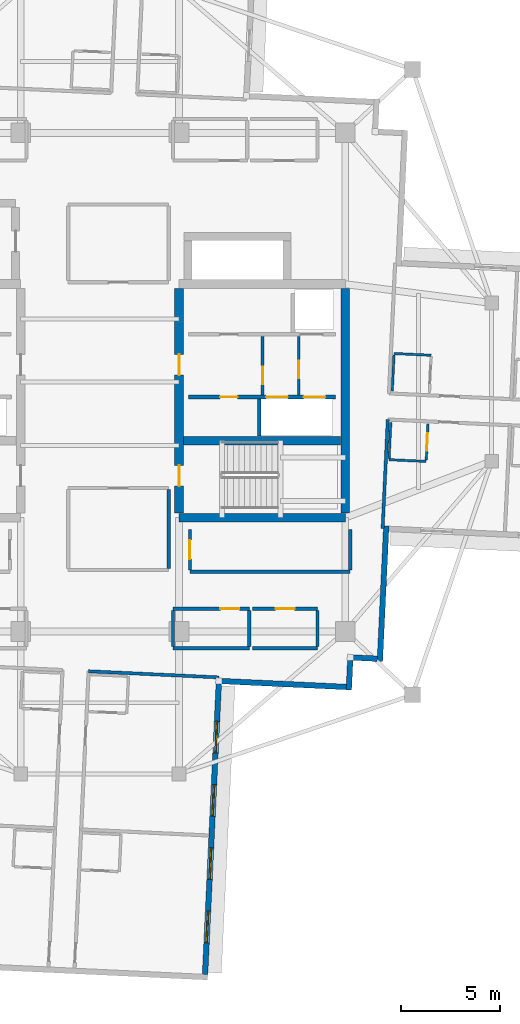
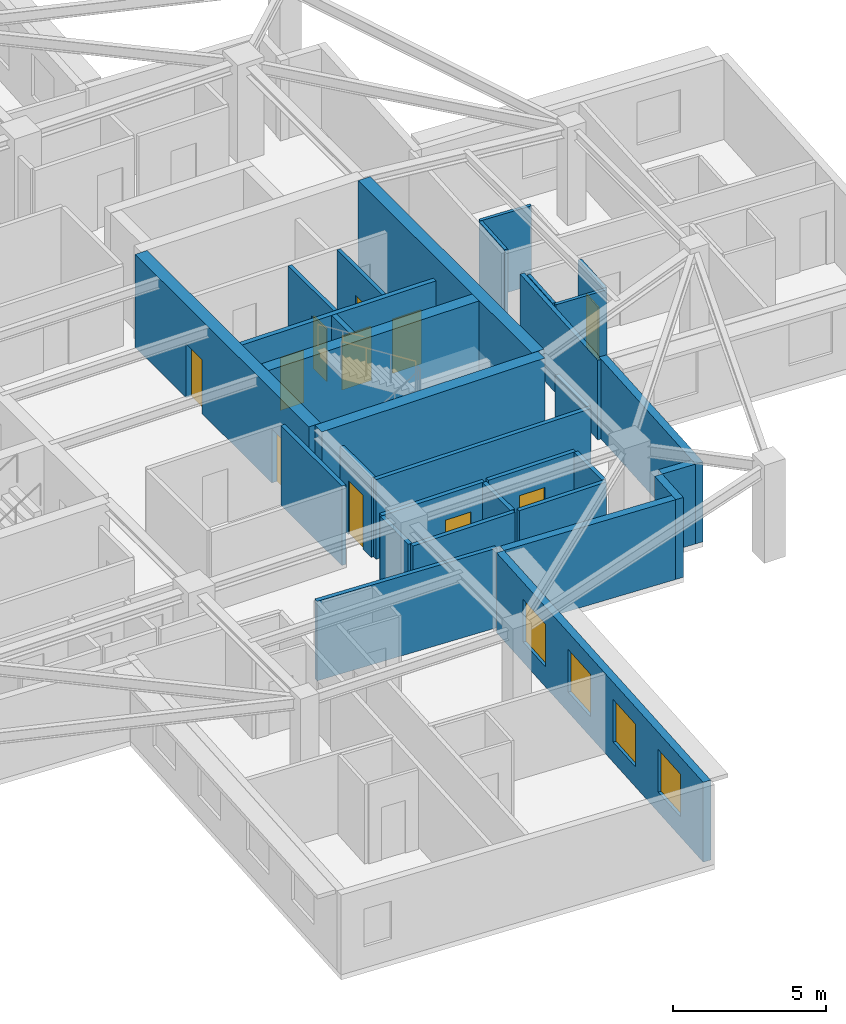
# One storey, part 5 of 12: 31 walls, 11 doors, 4 windows, 15 openings.
"""IFC4 building model written with IfcOpenShell, lengths in metres."""

from ifc_helpers import new_model, si_unit, direction, frame, frame_2d, origin, place, context, subcontext, project, spatial, rectangle, extrude, material, layer, layer_set, type_object, element, fill, save


model = new_model("IFC4")

# Units and contexts
model_context = context("Model", 3, precision=1e-05, world=origin(), true_north=direction((0.0, 1.0)))
body_context = subcontext(model_context, "Body", "Model", "MODEL_VIEW")
ifc_project = project(units=[si_unit("LENGTHUNIT", "METRE"), si_unit("AREAUNIT", "SQUARE_METRE"), si_unit("VOLUMEUNIT", "CUBIC_METRE"), si_unit("PLANEANGLEUNIT", "RADIAN"), si_unit("MASSUNIT", "GRAM", prefix="KILO")], contexts=[model_context])

# Site, building, storey
site_placement = place(None, origin())
site = spatial("IfcSite", under=ifc_project, at=site_placement, CompositionType="ELEMENT")
building_placement = place(site_placement, origin())
building = spatial("IfcBuilding", under=site, at=building_placement, Name="Qingluan Cross Belvedere", CompositionType="ELEMENT")
storey_placement = place(building_placement, frame((0.0, 0.0, 253.800048828125)))
storey = spatial("IfcBuildingStorey", under=building, at=storey_placement, Name="L63", CompositionType="ELEMENT", Elevation=253.800048828125)

# Wall
ifc_material_1 = material(Name="Concrete C50", Category="concrete")
ifc_layer_1 = layer(ifc_material_1, 0.449951171875, Name="CoreShearWall_450")
ifc_layer_set_1 = layer_set([ifc_layer_1], Name="Concrete C50")
wall_type_1 = type_object("IfcWallType", Name="CoreShearWall_450", PredefinedType="SHEAR", material=ifc_layer_set_1)
wall_1_placement = place(storey_placement, frame((4.0, -6.85009765625, 0.0), z_axis=(0.0, 0.0, 1.0), x_axis=(1.0, 0.0, 0.0)))
element("IfcWall", 1, at=wall_1_placement, inside=storey, type_object=wall_type_1, Name="Split core E shear wall L63-S", PredefinedType="SHEAR", context=body_context, shape_type="SweptSolid", body=[
    extrude(rectangle(XDim=8.39990234375, YDim=0.449951171875, at=frame_2d((4.199951171875, 0.0))), origin(), (0.0, 0.0, 1.0), 3.699951171875),
])

# Wall, openings, doors
wall_2_placement = place(storey_placement, frame((4.0, -6.6201171875, 0.0), z_axis=(0.0, 0.0, 1.0), x_axis=(0.0, 1.0, 0.0)))
wall_2 = element("IfcWall", 2, at=wall_2_placement, inside=storey, type_object=wall_type_1, Name="Split core E shear wall L63-W", PredefinedType="SHEAR", context=body_context, shape_type="SweptSolid", body=[
    extrude(rectangle(XDim=11.340087890625, YDim=0.449951171875, at=frame_2d((5.669921875, 0.0))), origin(), (0.0, 0.0, 1.0), 3.699951171875),
])
opening_1_placement = place(wall_2_placement, frame((1.3701171875, 0.0, 0.0)))
opening_1 = element("IfcOpeningElement", 3, at=opening_1_placement, cuts=wall_2, Name="Opening FD-B11", PredefinedType="OPENING", context=body_context, shape_type="SweptSolid", body=[
    extrude(rectangle(XDim=1.050048828125, YDim=2.14990234375, at=frame_2d((0.52490234375, 1.074951171875))), frame((0.0, 0.23486328125, 0.0), z_axis=(0.0, -1.0, 0.0), x_axis=(1.0, 0.0, 0.0)), (0.0, 0.0, 1.0), 0.469970703125),
])
opening_2_placement = place(wall_2_placement, frame((6.969970703125, 0.0, 0.0)))
opening_2 = element("IfcOpeningElement", 4, at=opening_2_placement, cuts=wall_2, Name="Opening FD-B11", PredefinedType="OPENING", context=body_context, shape_type="SweptSolid", body=[
    extrude(rectangle(XDim=1.050048828125, YDim=2.14990234375, at=frame_2d((0.52490234375, 1.074951171875))), frame((0.0, 0.23486328125, 0.0), z_axis=(0.0, -1.0, 0.0), x_axis=(1.0, 0.0, 0.0)), (0.0, 0.0, 1.0), 0.469970703125),
])
ifc_material_2 = material(Name="Steel Class B smoke-seal fire door", Category="steel")
door_type_1 = type_object("IfcDoorType", Name="StairLobbyFireDoor_FDB", OperationType="NOTDEFINED", PredefinedType="DOOR", material=ifc_material_2)
door_1_placement = place(opening_1_placement, origin())
door_1 = element("IfcDoor", 5, at=door_1_placement, inside=storey, type_object=door_type_1, Name="Smoke-proof stair ST2 fire door L63", OperationType="SINGLE_SWING_RIGHT", OverallHeight=2.14990234375, OverallWidth=1.050048828125, PredefinedType="DOOR", context=body_context, shape_type="SweptSolid", body=[
    extrude(rectangle(XDim=1.050048828125, YDim=2.14990234375, at=frame_2d((0.52490234375, 1.074951171875))), frame((0.0, 0.02490234375, 0.0), z_axis=(0.0, -1.0, 0.0), x_axis=(1.0, 0.0, 0.0)), (0.0, 0.0, 1.0), 0.050048828125),
])
fill(opening_1, door_1)
door_2_placement = place(opening_2_placement, origin())
door_2 = element("IfcDoor", 6, at=door_2_placement, inside=storey, type_object=door_type_1, Name="Firefighting lobby East fire door L63", OperationType="SINGLE_SWING_RIGHT", OverallHeight=2.14990234375, OverallWidth=1.050048828125, PredefinedType="DOOR", context=body_context, shape_type="SweptSolid", body=[
    extrude(rectangle(XDim=1.050048828125, YDim=2.14990234375, at=frame_2d((0.52490234375, 1.074951171875))), frame((0.0, 0.02490234375, 0.0), z_axis=(0.0, -1.0, 0.0), x_axis=(1.0, 0.0, 0.0)), (0.0, 0.0, 1.0), 0.050048828125),
])
fill(opening_2, door_2)

# Walls
wall_3_placement = place(storey_placement, frame((12.39990234375, -6.6201171875, 0.0), z_axis=(0.0, 0.0, 1.0), x_axis=(0.0, 1.0, 0.0)))
element("IfcWall", 7, at=wall_3_placement, inside=storey, type_object=wall_type_1, Name="Split core E shear wall L63-E", PredefinedType="SHEAR", context=body_context, shape_type="SweptSolid", body=[
    extrude(rectangle(XDim=11.340087890625, YDim=0.449951171875, at=frame_2d((5.669921875, 0.0))), origin(), (0.0, 0.0, 1.0), 3.699951171875),
])
wall_4_placement = place(storey_placement, frame((4.22998046875, -2.9599609375, 0.0), z_axis=(0.0, 0.0, 1.0), x_axis=(1.0, 0.0, 0.0)))
element("IfcWall", 8, at=wall_4_placement, inside=storey, type_object=wall_type_1, Name="Split core E shear wall L63-M", PredefinedType="SHEAR", context=body_context, shape_type="SweptSolid", body=[
    extrude(rectangle(XDim=7.93994140625, YDim=0.449951171875, at=frame_2d((3.969970703125, 0.0))), origin(), (0.0, 0.0, 1.0), 3.699951171875),
])

# Wall, opening, door
ifc_material_3 = material(Name="Gypsum plasterboard on steel stud acoustic partition", Category="steel")
ifc_layer_2 = layer(ifc_material_3, 0.159912109375, Name="CorridorPartition_160")
ifc_layer_set_2 = layer_set([ifc_layer_2], Name="Gypsum plasterboard on steel stud acoustic partition")
wall_type_2 = type_object("IfcWallType", Name="CorridorPartition_160", PredefinedType="PARTITIONING", material=ifc_layer_set_2)
wall_5_placement = place(storey_placement, frame((10.050048828125, -0.652099609375, 0.0), z_axis=(0.0, 0.0, 1.0), x_axis=(0.0, 1.0, 0.0)))
wall_5 = element("IfcWall", 9, at=wall_5_placement, inside=storey, type_object=wall_type_2, Name="Partition L63:ev", PredefinedType="PARTITIONING", context=body_context, shape_type="SweptSolid", body=[
    extrude(rectangle(XDim=2.962158203125, YDim=0.139892578125, at=frame_2d((1.48095703125, 0.0))), origin(), (0.0, 0.0, 1.0), 3.169921875),
])
opening_3_placement = place(wall_5_placement, frame((0.85009765625, 0.0, 0.0)))
opening_3 = element("IfcOpeningElement", 10, at=opening_3_placement, cuts=wall_5, Name="Opening FD-B10", PredefinedType="OPENING", context=body_context, shape_type="SweptSolid", body=[
    extrude(rectangle(XDim=0.8798828125, YDim=2.10009765625, at=frame_2d((0.43994140625, 1.050048828125))), frame((0.0, 0.079833984375, 0.0), z_axis=(0.0, -1.0, 0.0), x_axis=(1.0, 0.0, 0.0)), (0.0, 0.0, 1.0), 0.159912109375),
])
ifc_material_4 = material(Name="Steel Class B service fire door", Category="steel")
door_type_2 = type_object("IfcDoorType", Name="RiserServiceFireDoor_FDB", OperationType="NOTDEFINED", PredefinedType="DOOR", material=ifc_material_4)
door_3_placement = place(opening_3_placement, origin())
door_3 = element("IfcDoor", 11, at=door_3_placement, inside=storey, type_object=door_type_2, Name="Service closet inner door L63", OperationType="SINGLE_SWING_LEFT", OverallHeight=2.10009765625, OverallWidth=0.8798828125, PredefinedType="DOOR", context=body_context, shape_type="SweptSolid", body=[
    extrude(rectangle(XDim=0.8798828125, YDim=2.10009765625, at=frame_2d((0.43994140625, 1.050048828125))), frame((0.0, 0.02490234375, 0.0), z_axis=(0.0, -1.0, 0.0), x_axis=(1.0, 0.0, 0.0)), (0.0, 0.0, 1.0), 0.050048828125),
])
fill(opening_3, door_3)

# Wall
wall_6_placement = place(storey_placement, frame((3.699951171875, -13.449951171875, 0.0), z_axis=(0.0, 0.0, 1.0), x_axis=(1.0, 0.0, 0.0)))
element("IfcWall", 12, at=wall_6_placement, inside=storey, type_object=wall_type_2, Name="Partition L63:q_se1:S", PredefinedType="PARTITIONING", context=body_context, shape_type="SweptSolid", body=[
    extrude(rectangle(XDim=3.85009765625, YDim=0.159912109375, at=frame_2d((1.925048828125, 0.0))), origin(), (0.0, 0.0, 1.0), 3.169921875),
])

# Wall, opening, door
wall_7_placement = place(storey_placement, frame((3.699951171875, -11.449951171875, 0.0), z_axis=(0.0, 0.0, 1.0), x_axis=(1.0, 0.0, 0.0)))
wall_7 = element("IfcWall", 13, at=wall_7_placement, inside=storey, type_object=wall_type_2, Name="Partition L63:q_se1:N", PredefinedType="PARTITIONING", context=body_context, shape_type="SweptSolid", body=[
    extrude(rectangle(XDim=3.85009765625, YDim=0.159912109375, at=frame_2d((1.925048828125, 0.0))), origin(), (0.0, 0.0, 1.0), 3.169921875),
])
opening_4_placement = place(wall_7_placement, frame((2.39501953125, 0.0, 0.0)))
opening_4 = element("IfcOpeningElement", 14, at=opening_4_placement, cuts=wall_7, Name="Opening GD-10", PredefinedType="OPENING", context=body_context, shape_type="SweptSolid", body=[
    extrude(rectangle(XDim=0.9599609375, YDim=2.14990234375, at=frame_2d((0.47998046875, 1.074951171875))), frame((0.0, 0.08984375, 0.0), z_axis=(0.0, -1.0, 0.0), x_axis=(1.0, 0.0, 0.0)), (0.0, 0.0, 1.0), 0.179931640625),
])
ifc_material_5 = material(Name="Timber oak fire-rated acoustic guestroom door", Category="wood")
door_type_3 = type_object("IfcDoorType", Name="GuestEntryDoor_FD60", OperationType="NOTDEFINED", PredefinedType="DOOR", material=ifc_material_5)
door_4_placement = place(opening_4_placement, origin())
door_4 = element("IfcDoor", 15, at=door_4_placement, inside=storey, type_object=door_type_3, Name="Guest relations office L63 door", OperationType="SINGLE_SWING_RIGHT", OverallHeight=2.14990234375, OverallWidth=0.9599609375, PredefinedType="DOOR", context=body_context, shape_type="SweptSolid", body=[
    extrude(rectangle(XDim=0.9599609375, YDim=2.14990234375, at=frame_2d((0.47998046875, 1.074951171875))), frame((0.0, 0.02490234375, 0.0), z_axis=(0.0, -1.0, 0.0), x_axis=(1.0, 0.0, 0.0)), (0.0, 0.0, 1.0), 0.050048828125),
])
fill(opening_4, door_4)

# Walls
for number, where, z_axis, x_axis, name in (
    (16, (3.699951171875, -13.364990234375, 0.0), (0.0, 0.0, 1.0), (0.0, 1.0, 0.0), "Partition L63:q_se1:W"),
    (17, (7.550048828125, -13.364990234375, 0.0), (0.0, 0.0, 1.0), (0.0, 1.0, 0.0), "Partition L63:q_se1:E"),
):
    element("IfcWall", number, at=place(storey_placement, frame(where, z_axis=z_axis, x_axis=x_axis)), inside=storey, type_object=wall_type_2, Name=name, PredefinedType="PARTITIONING", context=body_context, shape_type="SweptSolid", body=[
        extrude(rectangle(XDim=1.830078125, YDim=0.159912109375, at=frame_2d((0.9150390625, 0.0))), origin(), (0.0, 0.0, 1.0), 3.169921875),
    ])
wall_8_placement = place(storey_placement, frame((7.7099609375, -13.449951171875, 0.0), z_axis=(0.0, 0.0, 1.0), x_axis=(1.0, 0.0, 0.0)))
element("IfcWall", 18, at=wall_8_placement, inside=storey, type_object=wall_type_2, Name="Partition L63:q_se2:S", PredefinedType="PARTITIONING", context=body_context, shape_type="SweptSolid", body=[
    extrude(rectangle(XDim=3.2900390625, YDim=0.159912109375, at=frame_2d((1.64501953125, 0.0))), origin(), (0.0, 0.0, 1.0), 3.169921875),
])

# Wall, opening, door
wall_9_placement = place(storey_placement, frame((7.7099609375, -11.449951171875, 0.0), z_axis=(0.0, 0.0, 1.0), x_axis=(1.0, 0.0, 0.0)))
wall_9 = element("IfcWall", 19, at=wall_9_placement, inside=storey, type_object=wall_type_2, Name="Partition L63:q_se2:N", PredefinedType="PARTITIONING", context=body_context, shape_type="SweptSolid", body=[
    extrude(rectangle(XDim=3.2900390625, YDim=0.159912109375, at=frame_2d((1.64501953125, 0.0))), origin(), (0.0, 0.0, 1.0), 3.169921875),
])
opening_5_placement = place(wall_9_placement, frame((1.1650390625, 0.0, 0.0)))
opening_5 = element("IfcOpeningElement", 20, at=opening_5_placement, cuts=wall_9, Name="Opening GD-10", PredefinedType="OPENING", context=body_context, shape_type="SweptSolid", body=[
    extrude(rectangle(XDim=0.9599609375, YDim=2.14990234375, at=frame_2d((0.47998046875, 1.074951171875))), frame((0.0, 0.08984375, 0.0), z_axis=(0.0, -1.0, 0.0), x_axis=(1.0, 0.0, 0.0)), (0.0, 0.0, 1.0), 0.179931640625),
])
door_5_placement = place(opening_5_placement, origin())
door_5 = element("IfcDoor", 21, at=door_5_placement, inside=storey, type_object=door_type_3, Name="Southeast study room L63 door", OperationType="SINGLE_SWING_LEFT", OverallHeight=2.14990234375, OverallWidth=0.9599609375, PredefinedType="DOOR", context=body_context, shape_type="SweptSolid", body=[
    extrude(rectangle(XDim=0.9599609375, YDim=2.14990234375, at=frame_2d((0.47998046875, 1.074951171875))), frame((0.0, 0.02490234375, 0.0), z_axis=(0.0, -1.0, 0.0), x_axis=(1.0, 0.0, 0.0)), (0.0, 0.0, 1.0), 0.050048828125),
])
fill(opening_5, door_5)

# Walls
wall_10_placement = place(storey_placement, frame((11.0, -13.364990234375, 0.0), z_axis=(0.0, 0.0, 1.0), x_axis=(0.0, 1.0, 0.0)))
element("IfcWall", 22, at=wall_10_placement, inside=storey, type_object=wall_type_2, Name="Partition L63:q_se2:E", PredefinedType="PARTITIONING", context=body_context, shape_type="SweptSolid", body=[
    extrude(rectangle(XDim=1.830078125, YDim=0.159912109375, at=frame_2d((0.9150390625, 0.0))), origin(), (0.0, 0.0, 1.0), 3.169921875),
])
wall_11_placement = place(storey_placement, frame((3.47998046875, -9.4150390625, 0.0), z_axis=(0.0, 0.0, 1.0), x_axis=(0.0, 1.0, 0.0)))
element("IfcWall", 23, at=wall_11_placement, inside=storey, type_object=wall_type_2, Name="Partition L63:sky_south_alcove:E", PredefinedType="PARTITIONING", context=body_context, shape_type="SweptSolid", body=[
    extrude(rectangle(XDim=3.97998046875, YDim=0.159912109375, at=frame_2d((1.989990234375, 0.0))), origin(), (0.0, 0.0, 1.0), 3.169921875),
])
wall_12_placement = place(storey_placement, frame((4.550048828125, -9.580078125, 0.0), z_axis=(0.0, 0.0, 1.0), x_axis=(1.0, 0.0, 0.0)))
element("IfcWall", 24, at=wall_12_placement, inside=storey, type_object=wall_type_2, Name="Partition L63:rec_st4:S", PredefinedType="PARTITIONING", context=body_context, shape_type="SweptSolid", body=[
    extrude(rectangle(XDim=8.099853515625, YDim=0.159912109375, at=frame_2d((4.0498046875, 0.0))), origin(), (0.0, 0.0, 1.0), 3.169921875),
])

# Wall, opening, door
wall_13_placement = place(storey_placement, frame((4.550048828125, -9.4951171875, 0.0), z_axis=(0.0, 0.0, 1.0), x_axis=(0.0, 1.0, 0.0)))
wall_13 = element("IfcWall", 25, at=wall_13_placement, inside=storey, type_object=wall_type_2, Name="Partition L63:rec_st4:W", PredefinedType="PARTITIONING", context=body_context, shape_type="SweptSolid", body=[
    extrude(rectangle(XDim=2.06005859375, YDim=0.159912109375, at=frame_2d((1.030029296875, 0.0))), origin(), (0.0, 0.0, 1.0), 3.169921875),
])
opening_6_placement = place(wall_13_placement, frame((0.550048828125, 0.0, 0.0)))
opening_6 = element("IfcOpeningElement", 26, at=opening_6_placement, cuts=wall_13, Name="Opening GD-10", PredefinedType="OPENING", context=body_context, shape_type="SweptSolid", body=[
    extrude(rectangle(XDim=0.9599609375, YDim=2.14990234375, at=frame_2d((0.47998046875, 1.074951171875))), frame((0.0, 0.08984375, 0.0), z_axis=(0.0, -1.0, 0.0), x_axis=(1.0, 0.0, 0.0)), (0.0, 0.0, 1.0), 0.179931640625),
])
door_6_placement = place(opening_6_placement, origin())
door_6 = element("IfcDoor", 27, at=door_6_placement, inside=storey, type_object=door_type_3, Name="Southeast club library room L63 door", OperationType="SINGLE_SWING_LEFT", OverallHeight=2.14990234375, OverallWidth=0.9599609375, PredefinedType="DOOR", context=body_context, shape_type="SweptSolid", body=[
    extrude(rectangle(XDim=0.9599609375, YDim=2.14990234375, at=frame_2d((0.47998046875, 1.074951171875))), frame((0.0, 0.02490234375, 0.0), z_axis=(0.0, -1.0, 0.0), x_axis=(1.0, 0.0, 0.0)), (0.0, 0.0, 1.0), 0.050048828125),
])
fill(opening_6, door_6)

# Walls
wall_14_placement = place(storey_placement, frame((12.64990234375, -9.4951171875, 0.0), z_axis=(0.0, 0.0, 1.0), x_axis=(0.0, 1.0, 0.0)))
element("IfcWall", 28, at=wall_14_placement, inside=storey, type_object=wall_type_2, Name="Partition L63:rec_st4:E", PredefinedType="PARTITIONING", context=body_context, shape_type="SweptSolid", body=[
    extrude(rectangle(XDim=2.06005859375, YDim=0.159912109375, at=frame_2d((1.030029296875, 0.0))), origin(), (0.0, 0.0, 1.0), 3.169921875),
])
wall_15_placement = place(storey_placement, frame((14.547119140625, -1.887451171875, 0.0), z_axis=(0.0, 0.0, 1.0), x_axis=(-0.04710493239, -0.998889946563, 0.0)))
element("IfcWall", 29, at=wall_15_placement, inside=storey, type_object=wall_type_2, Name="Partition L63:E:s1", PredefinedType="PARTITIONING", context=body_context, shape_type="SweptSolid", body=[
    extrude(rectangle(XDim=5.519775390625, YDim=0.159912109375, at=frame_2d((2.759765625, 0.0))), origin(), (0.0, 0.0, 1.0), 3.169921875),
])
wall_16_placement = place(storey_placement, frame((-0.56884765625, -14.609375, 0.0), z_axis=(0.0, 0.0, 1.0), x_axis=(0.998888881116, -0.047127520444, 0.0)))
element("IfcWall", 30, at=wall_16_placement, inside=storey, type_object=wall_type_2, Name="Partition L63:S:s0", PredefinedType="PARTITIONING", context=body_context, shape_type="SweptSolid", body=[
    extrude(rectangle(XDim=6.599853515625, YDim=0.159912109375, at=frame_2d((3.2998046875, 0.0))), origin(), (0.0, 0.0, 1.0), 3.169921875),
])
ifc_material_6 = material(Name="Moisture-resistant gypsum board lining")
ifc_layer_3 = layer(ifc_material_6, 0.1201171875, Name="EnsuiteWetPartition_120")
ifc_layer_set_3 = layer_set([ifc_layer_3], Name="Moisture-resistant gypsum board lining")
wall_type_3 = type_object("IfcWallType", Name="EnsuiteWetPartition_120", PredefinedType="PARTITIONING", material=ifc_layer_set_3)
wall_17_placement = place(storey_placement, frame((14.77587890625, -0.4365234375, 0.0), z_axis=(0.0, 0.0, 1.0), x_axis=(0.047080807099, 0.998891083954, 0.0)))
element("IfcWall", 31, at=wall_17_placement, inside=storey, type_object=wall_type_3, Name="Partition L63:E:bw0_0", PredefinedType="PARTITIONING", context=body_context, shape_type="SweptSolid", body=[
    extrude(rectangle(XDim=1.820068359375, YDim=0.1201171875, at=frame_2d((0.91015625, 0.0))), origin(), (0.0, 0.0, 1.0), 3.169921875),
])
wall_18_placement = place(storey_placement, frame((14.864501953125, 1.4462890625, 0.0), z_axis=(0.0, 0.0, 1.0), x_axis=(0.998894425757, -0.04700985207, 0.0)))
element("IfcWall", 32, at=wall_18_placement, inside=storey, type_object=wall_type_3, Name="Partition L63:E:bn0_0", PredefinedType="PARTITIONING", context=body_context, shape_type="SweptSolid", body=[
    extrude(rectangle(XDim=1.880126953125, YDim=0.1201171875, at=frame_2d((0.93994140625, 0.0))), origin(), (0.0, 0.0, 1.0), 3.169921875),
])

# Wall, opening, door
wall_19_placement = place(storey_placement, frame((16.49267578125, -3.94140625, 0.0), z_axis=(0.0, 0.0, 1.0), x_axis=(0.047080807099, 0.998891083954, 0.0)))
wall_19 = element("IfcWall", 33, at=wall_19_placement, inside=storey, type_object=wall_type_3, Name="Partition L63:E:bs1_0", PredefinedType="PARTITIONING", context=body_context, shape_type="SweptSolid", body=[
    extrude(rectangle(XDim=1.820068359375, YDim=0.1201171875, at=frame_2d((0.91015625, 0.0))), origin(), (0.0, 0.0, 1.0), 3.169921875),
])
opening_7_placement = place(wall_19_placement, frame((0.469970703125, 0.0, 0.0)))
opening_7 = element("IfcOpeningElement", 34, at=opening_7_placement, cuts=wall_19, Name="Opening BD-09", PredefinedType="OPENING", context=body_context, shape_type="SweptSolid", body=[
    extrude(rectangle(XDim=0.8798828125, YDim=2.10009765625, at=frame_2d((0.43994140625, 1.050048828125))), frame((0.0, 0.070068359375, 0.0), z_axis=(0.0, -1.0, 0.0), x_axis=(1.0, 0.0, 0.0)), (0.0, 0.0, 1.0), 0.14013671875),
])
ifc_material_7 = material(Name="Moisture-sealed timber en-suite door", Category="wood")
door_type_4 = type_object("IfcDoorType", Name="BathroomDoor_880", OperationType="NOTDEFINED", PredefinedType="DOOR", material=ifc_material_7)
door_7_placement = place(opening_7_placement, origin())
door_7 = element("IfcDoor", 35, at=door_7_placement, inside=storey, type_object=door_type_4, Name="Bathroom door 6303", OperationType="SINGLE_SWING_RIGHT", OverallHeight=2.10009765625, OverallWidth=0.8798828125, PredefinedType="DOOR", context=body_context, shape_type="SweptSolid", body=[
    extrude(rectangle(XDim=0.8798828125, YDim=2.10009765625, at=frame_2d((0.43994140625, 1.050048828125))), frame((0.0, 0.02490234375, 0.0), z_axis=(0.0, -1.0, 0.0), x_axis=(1.0, 0.0, 0.0)), (0.0, 0.0, 1.0), 0.050048828125),
])
fill(opening_7, door_7)

# Walls
wall_20_placement = place(storey_placement, frame((14.61474609375, -3.852783203125, 0.0), z_axis=(0.0, 0.0, 1.0), x_axis=(0.047080807099, 0.998891083954, 0.0)))
element("IfcWall", 36, at=wall_20_placement, inside=storey, type_object=wall_type_3, Name="Partition L63:E:bw1_0", PredefinedType="PARTITIONING", context=body_context, shape_type="SweptSolid", body=[
    extrude(rectangle(XDim=1.820068359375, YDim=0.1201171875, at=frame_2d((0.91015625, 0.0))), origin(), (0.0, 0.0, 1.0), 3.169921875),
])
wall_21_placement = place(storey_placement, frame((14.61181640625, -3.917724609375, 0.0), z_axis=(0.0, 0.0, 1.0), x_axis=(0.998894138717, -0.04701595088, 0.0)))
element("IfcWall", 37, at=wall_21_placement, inside=storey, type_object=wall_type_3, Name="Partition L63:E:bc1_0", PredefinedType="PARTITIONING", context=body_context, shape_type="SweptSolid", body=[
    extrude(rectangle(XDim=1.8798828125, YDim=0.1201171875, at=frame_2d((0.93994140625, 0.0))), origin(), (0.0, 0.0, 1.0), 3.169921875),
])

# Wall, openings, windows
ifc_material_8 = material(Name="Precast concrete C45", Category="concrete")
ifc_layer_4 = layer(ifc_material_8, 0.280029296875, Name="PrecastFacadeWall_280")
ifc_layer_set_4 = layer_set([ifc_layer_4], Name="Precast concrete C45")
wall_type_4 = type_object("IfcWallType", Name="PrecastFacadeWall_280", PredefinedType="STANDARD", material=ifc_layer_set_4)
wall_22_placement = place(storey_placement, frame((5.31640625, -29.923583984375, 0.0), z_axis=(0.0, 0.0, 1.0), x_axis=(0.047101163748, 0.998890124275, 0.0)))
wall_22 = element("IfcWall", 38, at=wall_22_placement, inside=storey, type_object=wall_type_4, Name="Facade wall L63-SB", PredefinedType="STANDARD", context=body_context, shape_type="SweptSolid", body=[
    extrude(rectangle(XDim=14.699951171875, YDim=0.280029296875, at=frame_2d((7.35009765625, 0.0))), origin(), (0.0, 0.0, 1.0), 3.179931640625),
])
opening_8_placement = place(wall_22_placement, frame((1.60009765625, 0.0, 0.800048828125)))
opening_8 = element("IfcOpeningElement", 39, at=opening_8_placement, cuts=wall_22, Name="Opening W-04", PredefinedType="OPENING", context=body_context, shape_type="SweptSolid", body=[
    extrude(rectangle(XDim=1.60009765625, YDim=1.699951171875, at=frame_2d((0.800048828125, 0.85009765625))), frame((0.0, 0.14990234375, 0.0), z_axis=(0.0, -1.0, 0.0), x_axis=(1.0, 0.0, 0.0)), (0.0, 0.0, 1.0), 0.300048828125),
])
opening_9_placement = place(wall_22_placement, frame((4.800048828125, 0.0, 0.800048828125)))
opening_9 = element("IfcOpeningElement", 40, at=opening_9_placement, cuts=wall_22, Name="Opening W-04", PredefinedType="OPENING", context=body_context, shape_type="SweptSolid", body=[
    extrude(rectangle(XDim=1.60009765625, YDim=1.699951171875, at=frame_2d((0.800048828125, 0.85009765625))), frame((0.0, 0.14990234375, 0.0), z_axis=(0.0, -1.0, 0.0), x_axis=(1.0, 0.0, 0.0)), (0.0, 0.0, 1.0), 0.300048828125),
])
opening_10_placement = place(wall_22_placement, frame((8.0, 0.0, 0.800048828125)))
opening_10 = element("IfcOpeningElement", 41, at=opening_10_placement, cuts=wall_22, Name="Opening W-04", PredefinedType="OPENING", context=body_context, shape_type="SweptSolid", body=[
    extrude(rectangle(XDim=1.60009765625, YDim=1.699951171875, at=frame_2d((0.800048828125, 0.85009765625))), frame((0.0, 0.14990234375, 0.0), z_axis=(0.0, -1.0, 0.0), x_axis=(1.0, 0.0, 0.0)), (0.0, 0.0, 1.0), 0.300048828125),
])
opening_11_placement = place(wall_22_placement, frame((11.199951171875, 0.0, 0.800048828125)))
opening_11 = element("IfcOpeningElement", 42, at=opening_11_placement, cuts=wall_22, Name="Opening W-04", PredefinedType="OPENING", context=body_context, shape_type="SweptSolid", body=[
    extrude(rectangle(XDim=1.60009765625, YDim=1.699951171875, at=frame_2d((0.800048828125, 0.85009765625))), frame((0.0, 0.14990234375, 0.0), z_axis=(0.0, -1.0, 0.0), x_axis=(1.0, 0.0, 0.0)), (0.0, 0.0, 1.0), 0.300048828125),
])
ifc_material_9 = material(Name="Thermally broken triple Low-E glass in aluminium frame", Category="aluminium")
window_type = type_object("IfcWindowType", Name="SuiteCornerWin_1600x1700", PartitioningType="SINGLE_PANEL", PredefinedType="WINDOW", material=ifc_material_9)
window_1_placement = place(opening_8_placement, origin())
window_1 = element("IfcWindow", 43, at=window_1_placement, inside=storey, type_object=window_type, Name="Ribbon window L63-SB-1", OverallHeight=1.699951171875, OverallWidth=1.60009765625, PartitioningType="SINGLE_PANEL", PredefinedType="WINDOW", context=body_context, shape_type="SweptSolid", body=[
    extrude(rectangle(XDim=1.60009765625, YDim=1.699951171875, at=frame_2d((0.800048828125, 0.85009765625))), frame((0.0, 0.030029296875, 0.0), z_axis=(0.0, -1.0, 0.0), x_axis=(1.0, 0.0, 0.0)), (0.0, 0.0, 1.0), 0.06005859375),
])
fill(opening_8, window_1)
window_2_placement = place(opening_9_placement, origin())
window_2 = element("IfcWindow", 44, at=window_2_placement, inside=storey, type_object=window_type, Name="Ribbon window L63-SB-2", OverallHeight=1.699951171875, OverallWidth=1.60009765625, PartitioningType="SINGLE_PANEL", PredefinedType="WINDOW", context=body_context, shape_type="SweptSolid", body=[
    extrude(rectangle(XDim=1.60009765625, YDim=1.699951171875, at=frame_2d((0.800048828125, 0.85009765625))), frame((0.0, 0.030029296875, 0.0), z_axis=(0.0, -1.0, 0.0), x_axis=(1.0, 0.0, 0.0)), (0.0, 0.0, 1.0), 0.06005859375),
])
fill(opening_9, window_2)
window_3_placement = place(opening_10_placement, origin())
window_3 = element("IfcWindow", 45, at=window_3_placement, inside=storey, type_object=window_type, Name="Ribbon window L63-SB-3", OverallHeight=1.699951171875, OverallWidth=1.60009765625, PartitioningType="SINGLE_PANEL", PredefinedType="WINDOW", context=body_context, shape_type="SweptSolid", body=[
    extrude(rectangle(XDim=1.60009765625, YDim=1.699951171875, at=frame_2d((0.800048828125, 0.85009765625))), frame((0.0, 0.030029296875, 0.0), z_axis=(0.0, -1.0, 0.0), x_axis=(1.0, 0.0, 0.0)), (0.0, 0.0, 1.0), 0.06005859375),
])
fill(opening_10, window_3)
window_4_placement = place(opening_11_placement, origin())
window_4 = element("IfcWindow", 46, at=window_4_placement, inside=storey, type_object=window_type, Name="Ribbon window L63-SB-4", OverallHeight=1.699951171875, OverallWidth=1.60009765625, PartitioningType="SINGLE_PANEL", PredefinedType="WINDOW", context=body_context, shape_type="SweptSolid", body=[
    extrude(rectangle(XDim=1.60009765625, YDim=1.699951171875, at=frame_2d((0.800048828125, 0.85009765625))), frame((0.0, 0.030029296875, 0.0), z_axis=(0.0, -1.0, 0.0), x_axis=(1.0, 0.0, 0.0)), (0.0, 0.0, 1.0), 0.06005859375),
])
fill(opening_11, window_4)

# Walls
wall_23_placement = place(storey_placement, frame((14.4736328125, -7.27001953125, 0.0), z_axis=(0.0, 0.0, 1.0), x_axis=(-0.04712043756, -0.998889215261, 0.0)))
element("IfcWall", 47, at=wall_23_placement, inside=storey, type_object=wall_type_4, Name="Corner wall L63-SE1", PredefinedType="STANDARD", context=body_context, shape_type="SweptSolid", body=[
    extrude(rectangle(XDim=6.85986328125, YDim=0.280029296875, at=frame_2d((3.429931640625, 0.0))), origin(), (0.0, 0.0, 1.0), 3.179931640625),
])
wall_24_placement = place(storey_placement, frame((14.01708984375, -13.975830078125, 0.0), z_axis=(0.0, 0.0, 1.0), x_axis=(-0.998883930236, 0.047232339719, 0.0)))
element("IfcWall", 48, at=wall_24_placement, inside=storey, type_object=wall_type_4, Name="Corner wall L63-SE2", PredefinedType="STANDARD", context=body_context, shape_type="SweptSolid", body=[
    extrude(rectangle(XDim=1.219970703125, YDim=0.280029296875, at=frame_2d((0.60986328125, 0.0))), origin(), (0.0, 0.0, 1.0), 3.179931640625),
])
wall_25_placement = place(storey_placement, frame((12.652099609375, -14.051513671875, 0.0), z_axis=(0.0, 0.0, 1.0), x_axis=(-0.047039284441, -0.99889304018, 0.0)))
element("IfcWall", 49, at=wall_25_placement, inside=storey, type_object=wall_type_4, Name="Corner wall L63-SE3", PredefinedType="STANDARD", context=body_context, shape_type="SweptSolid", body=[
    extrude(rectangle(XDim=1.5, YDim=0.280029296875, at=frame_2d((0.75, 0.0))), origin(), (0.0, 0.0, 1.0), 3.179931640625),
])
wall_26_placement = place(storey_placement, frame((12.4482421875, -15.403564453125, 0.0), z_axis=(0.0, 0.0, 1.0), x_axis=(-0.998889082162, 0.047123258997, 0.0)))
element("IfcWall", 50, at=wall_26_placement, inside=storey, type_object=wall_type_4, Name="Corner wall L63-SE4", PredefinedType="STANDARD", context=body_context, shape_type="SweptSolid", body=[
    extrude(rectangle(XDim=6.300048828125, YDim=0.280029296875, at=frame_2d((3.14990234375, 0.0))), origin(), (0.0, 0.0, 1.0), 3.179931640625),
])

# Wall, openings, doors
ifc_material_10 = material(Name="Concrete C40", Category="concrete")
ifc_layer_5 = layer(ifc_material_10, 0.219970703125, Name="ShaftEnclosureWall_250")
ifc_layer_set_5 = layer_set([ifc_layer_5], Name="Concrete C40")
wall_type_5 = type_object("IfcWallType", Name="ShaftEnclosureWall_250", PredefinedType="SOLIDWALL", material=ifc_layer_set_5)
wall_27_placement = place(storey_placement, frame((4.47998046875, -0.75, 0.0), z_axis=(0.0, 0.0, 1.0), x_axis=(1.0, 0.0, 0.0)))
wall_27 = element("IfcWall", 51, at=wall_27_placement, inside=storey, type_object=wall_type_5, Name="Core-E mid hoistway wall L63", PredefinedType="SOLIDWALL", context=body_context, shape_type="SweptSolid", body=[
    extrude(rectangle(XDim=7.419921875, YDim=0.179931640625, at=frame_2d((3.7099609375, 0.0))), origin(), (0.0, 0.0, 1.0), 3.169921875),
])
opening_12_placement = place(wall_27_placement, frame((3.919921875, 0.0, 0.0)))
opening_12 = element("IfcOpeningElement", 52, at=opening_12_placement, cuts=wall_27, Name="Opening LD-11", PredefinedType="OPENING", context=body_context, shape_type="SweptSolid", body=[
    extrude(rectangle(XDim=1.10009765625, YDim=2.14990234375, at=frame_2d((0.550048828125, 1.074951171875))), frame((0.0, 0.099853515625, 0.0), z_axis=(0.0, -1.0, 0.0), x_axis=(1.0, 0.0, 0.0)), (0.0, 0.0, 1.0), 0.199951171875),
])
opening_13_placement = place(wall_27_placement, frame((5.820068359375, 0.0, 0.0)))
opening_13 = element("IfcOpeningElement", 53, at=opening_13_placement, cuts=wall_27, Name="Opening LD-11", PredefinedType="OPENING", context=body_context, shape_type="SweptSolid", body=[
    extrude(rectangle(XDim=1.10009765625, YDim=2.14990234375, at=frame_2d((0.550048828125, 1.074951171875))), frame((0.0, 0.099853515625, 0.0), z_axis=(0.0, -1.0, 0.0), x_axis=(1.0, 0.0, 0.0)), (0.0, 0.0, 1.0), 0.199951171875),
])
opening_14_placement = place(wall_27_placement, frame((1.60009765625, 0.0, 0.0)))
opening_14 = element("IfcOpeningElement", 54, at=opening_14_placement, cuts=wall_27, Name="Opening FD-B10", PredefinedType="OPENING", context=body_context, shape_type="SweptSolid", body=[
    extrude(rectangle(XDim=0.8798828125, YDim=2.10009765625, at=frame_2d((0.43994140625, 1.050048828125))), frame((0.0, 0.099853515625, 0.0), z_axis=(0.0, -1.0, 0.0), x_axis=(1.0, 0.0, 0.0)), (0.0, 0.0, 1.0), 0.199951171875),
])
ifc_material_11 = material(Name="Brushed stainless steel centre-opening lift landing door", Category="steel")
door_type_5 = type_object("IfcDoorType", Name="LiftLandingSlidingDoor_1100", OperationType="DOUBLE_DOOR_SLIDING", PredefinedType="DOOR", material=ifc_material_11)
door_8_placement = place(opening_12_placement, origin())
door_8 = element("IfcDoor", 55, at=door_8_placement, inside=storey, type_object=door_type_5, Name="Lift landing sliding door LP9 L63", OperationType="DOUBLE_DOOR_SLIDING", OverallHeight=2.14990234375, OverallWidth=1.10009765625, PredefinedType="DOOR", context=body_context, shape_type="SweptSolid", body=[
    extrude(rectangle(XDim=1.10009765625, YDim=2.14990234375, at=frame_2d((0.550048828125, 1.074951171875))), frame((0.0, 0.02490234375, 0.0), z_axis=(0.0, -1.0, 0.0), x_axis=(1.0, 0.0, 0.0)), (0.0, 0.0, 1.0), 0.050048828125),
])
fill(opening_12, door_8)
door_9_placement = place(opening_13_placement, origin())
door_9 = element("IfcDoor", 56, at=door_9_placement, inside=storey, type_object=door_type_5, Name="Lift landing sliding door LP10 L63", OperationType="DOUBLE_DOOR_SLIDING", OverallHeight=2.14990234375, OverallWidth=1.10009765625, PredefinedType="DOOR", context=body_context, shape_type="SweptSolid", body=[
    extrude(rectangle(XDim=1.10009765625, YDim=2.14990234375, at=frame_2d((0.550048828125, 1.074951171875))), frame((0.0, 0.02490234375, 0.0), z_axis=(0.0, -1.0, 0.0), x_axis=(1.0, 0.0, 0.0)), (0.0, 0.0, 1.0), 0.050048828125),
])
fill(opening_13, door_9)
door_10_placement = place(opening_14_placement, origin())
door_10 = element("IfcDoor", 57, at=door_10_placement, inside=storey, type_object=door_type_2, Name="Upper-zone linen store door L63", OperationType="SINGLE_SWING_LEFT", OverallHeight=2.10009765625, OverallWidth=0.8798828125, PredefinedType="DOOR", context=body_context, shape_type="SweptSolid", body=[
    extrude(rectangle(XDim=0.8798828125, YDim=2.10009765625, at=frame_2d((0.43994140625, 1.050048828125))), frame((0.0, 0.02490234375, 0.0), z_axis=(0.0, -1.0, 0.0), x_axis=(1.0, 0.0, 0.0)), (0.0, 0.0, 1.0), 0.050048828125),
])
fill(opening_14, door_10)

# Wall
wall_28_placement = place(storey_placement, frame((8.06005859375, -2.72998046875, 0.0), z_axis=(0.0, 0.0, 1.0), x_axis=(0.0, 1.0, 0.0)))
element("IfcWall", 58, at=wall_28_placement, inside=storey, type_object=wall_type_5, Name="Hoistway enclosure divider LP9W L63", PredefinedType="SOLIDWALL", context=body_context, shape_type="SweptSolid", body=[
    extrude(rectangle(XDim=1.889892578125, YDim=0.179931640625, at=frame_2d((0.94482421875, 0.0))), origin(), (0.0, 0.0, 1.0), 3.169921875),
])

# Wall, opening, door
wall_29_placement = place(storey_placement, frame((8.219970703125, -0.64990234375, 0.0), z_axis=(0.0, 0.0, 1.0), x_axis=(0.0, 1.0, 0.0)))
wall_29 = element("IfcWall", 59, at=wall_29_placement, inside=storey, type_object=wall_type_5, Name="Core-E service corridor wall L63", PredefinedType="SOLIDWALL", context=body_context, shape_type="SweptSolid", body=[
    extrude(rectangle(XDim=2.9599609375, YDim=0.139892578125, at=frame_2d((1.47998046875, 0.0))), origin(), (0.0, 0.0, 1.0), 3.169921875),
])
opening_15_placement = place(wall_29_placement, frame((0.550048828125, 0.0, 0.0)))
opening_15 = element("IfcOpeningElement", 60, at=opening_15_placement, cuts=wall_29, Name="Opening FD-B10", PredefinedType="OPENING", context=body_context, shape_type="SweptSolid", body=[
    extrude(rectangle(XDim=0.8798828125, YDim=2.10009765625, at=frame_2d((0.43994140625, 1.050048828125))), frame((0.0, 0.079833984375, 0.0), z_axis=(0.0, -1.0, 0.0), x_axis=(1.0, 0.0, 0.0)), (0.0, 0.0, 1.0), 0.159912109375),
])
door_11_placement = place(opening_15_placement, origin())
door_11 = element("IfcDoor", 61, at=door_11_placement, inside=storey, type_object=door_type_2, Name="Core-E service room door L63", OperationType="SINGLE_SWING_LEFT", OverallHeight=2.10009765625, OverallWidth=0.8798828125, PredefinedType="DOOR", context=body_context, shape_type="SweptSolid", body=[
    extrude(rectangle(XDim=0.8798828125, YDim=2.10009765625, at=frame_2d((0.43994140625, 1.050048828125))), frame((0.0, 0.02490234375, 0.0), z_axis=(0.0, -1.0, 0.0), x_axis=(1.0, 0.0, 0.0)), (0.0, 0.0, 1.0), 0.050048828125),
])
fill(opening_15, door_11)

save(model, "model.ifc")
